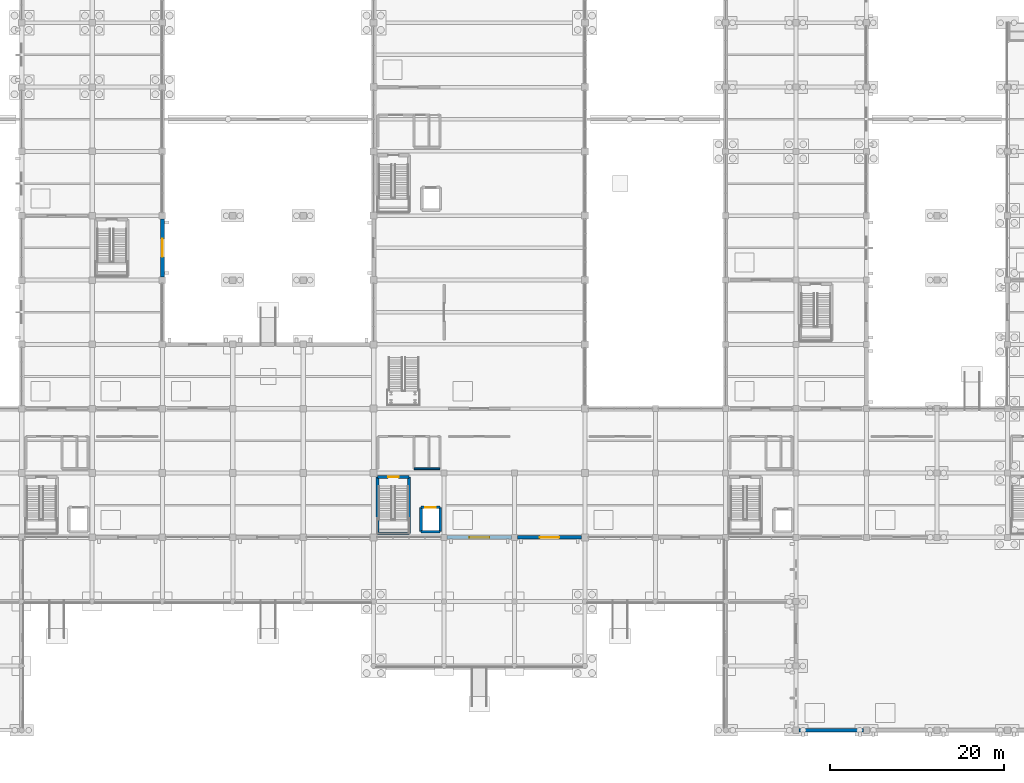
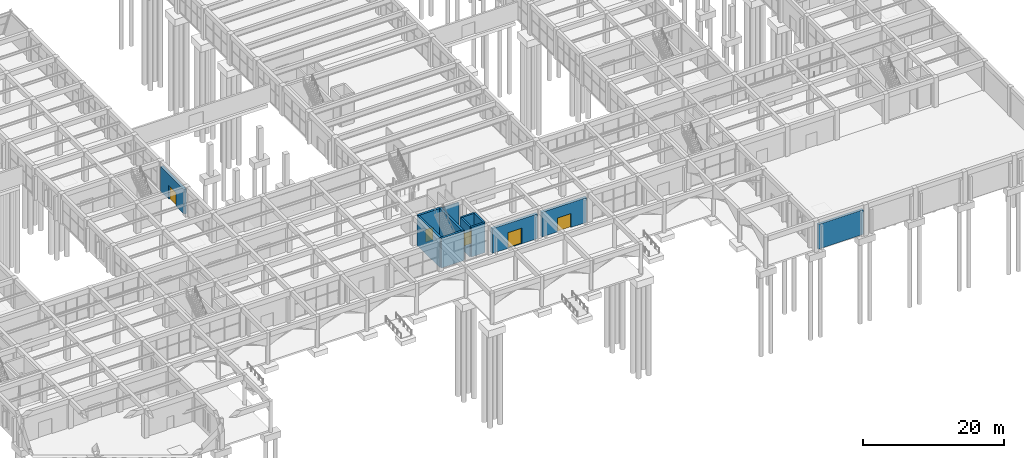
# One storey, part 124 of 140: 13 walls, 5 doors, 5 openings.
"""IFC4 building model written with IfcOpenShell, lengths in metres."""

from ifc_helpers import new_model, si_unit, direction, frame, frame_2d, origin, place, context, subcontext, project, spatial, rectangle, extrude, material, layer, layer_set, type_object, element, fill, save


model = new_model("IFC4")

# Units and contexts
model_context = context("Model", 3, precision=1e-05, world=origin(), true_north=direction((0.0, 1.0)))
body_context = subcontext(model_context, "Body", "Model", "MODEL_VIEW")
ifc_project = project(units=[si_unit("LENGTHUNIT", "METRE"), si_unit("AREAUNIT", "SQUARE_METRE"), si_unit("VOLUMEUNIT", "CUBIC_METRE"), si_unit("PLANEANGLEUNIT", "RADIAN"), si_unit("MASSUNIT", "GRAM", prefix="KILO")], contexts=[model_context])

# Site, building, storey
site_placement = place(None, origin())
site = spatial("IfcSite", under=ifc_project, at=site_placement, CompositionType="ELEMENT")
building_placement = place(site_placement, origin())
building = spatial("IfcBuilding", under=site, at=building_placement, Name="Cimatlan Art Gallery", CompositionType="ELEMENT")
storey_placement = place(building_placement, origin())
storey = spatial("IfcBuildingStorey", under=building, at=storey_placement, Name="L00", CompositionType="ELEMENT", Elevation=0.0)

# Walls
ifc_material_1 = material(Name="Concrete C40/50", Category="concrete")
ifc_layer_1 = layer(ifc_material_1, 0.31005859375)
ifc_layer_set_1 = layer_set([ifc_layer_1], Name="Concrete C40/50")
wall_type_1 = type_object("IfcWallType", Name="W-CORE-310", PredefinedType="SHEAR", material=ifc_layer_set_1)
wall_1_placement = place(storey_placement, frame((80.35009765625, 24.550048828125, 0.0), z_axis=(0.0, 0.0, 1.0), x_axis=(0.0, 1.0, 0.0)))
element("IfcWall", 1, at=wall_1_placement, inside=storey, type_object=wall_type_1, Name="WL-SHFT-C3-L00-LW", PredefinedType="SHEAR", context=body_context, shape_type="SweptSolid", body=[
    extrude(rectangle(XDim=2.800048828125, YDim=0.31005859375, at=frame_2d((1.39990234375, 0.0))), origin(), (0.0, 0.0, 1.0), 5.1298828125),
])
wall_2_placement = place(storey_placement, frame((80.35009765625, 24.550048828125, 0.0), z_axis=(0.0, 0.0, 1.0), x_axis=(1.0, 0.0, 0.0)))
element("IfcWall", 2, at=wall_2_placement, inside=storey, type_object=wall_type_1, Name="WL-SHFT-C3-L00-LS", PredefinedType="SHEAR", context=body_context, shape_type="SweptSolid", body=[
    extrude(rectangle(XDim=2.199951171875, YDim=0.31005859375, at=frame_2d((1.10009765625, 0.0))), origin(), (0.0, 0.0, 1.0), 5.1298828125),
])
wall_3_placement = place(storey_placement, frame((82.550048828125, 24.550048828125, 0.0), z_axis=(0.0, 0.0, 1.0), x_axis=(0.0, 1.0, 0.0)))
element("IfcWall", 3, at=wall_3_placement, inside=storey, type_object=wall_type_1, Name="WL-SHFT-C3-L00-LE", PredefinedType="SHEAR", context=body_context, shape_type="SweptSolid", body=[
    extrude(rectangle(XDim=2.800048828125, YDim=0.31005859375, at=frame_2d((1.39990234375, 0.0))), origin(), (0.0, 0.0, 1.0), 5.1298828125),
])

# Wall, opening, door
wall_4_placement = place(storey_placement, frame((80.35009765625, 27.35009765625, 0.0), z_axis=(0.0, 0.0, 1.0), x_axis=(1.0, 0.0, 0.0)))
wall_4 = element("IfcWall", 4, at=wall_4_placement, inside=storey, type_object=wall_type_1, Name="WL-SHFT-C3-L00-LN", PredefinedType="SHEAR", context=body_context, shape_type="SweptSolid", body=[
    extrude(rectangle(XDim=2.199951171875, YDim=0.31005859375, at=frame_2d((1.10009765625, 0.0))), origin(), (0.0, 0.0, 1.0), 5.1298828125),
])
opening_1_placement = place(wall_4_placement, frame((0.5, 0.0, 0.0)))
opening_1 = element("IfcOpeningElement", 5, at=opening_1_placement, cuts=wall_4, Name="Opening LD-C3-L00", PredefinedType="OPENING", context=body_context, shape_type="SweptSolid", body=[
    extrude(rectangle(XDim=1.199951171875, YDim=2.14990234375, at=frame_2d((0.60009765625, 1.074951171875))), frame((0.0, 0.1650390625, 0.0), z_axis=(0.0, -1.0, 0.0), x_axis=(1.0, 0.0, 0.0)), (0.0, 0.0, 1.0), 0.330078125),
])
ifc_material_2 = material(Name="Fire-rated sliding firefighting lift landing door")
door_type_1 = type_object("IfcDoorType", Name="LD-FF-1200", OperationType="NOTDEFINED", PredefinedType="DOOR", material=ifc_material_2)
door_1_placement = place(opening_1_placement, origin())
door_1 = element("IfcDoor", 6, at=door_1_placement, inside=storey, type_object=door_type_1, Name="LD-FFL-02-L00", OperationType="SLIDING_TO_RIGHT", OverallHeight=2.14990234375, OverallWidth=1.199951171875, PredefinedType="DOOR", context=body_context, shape_type="SweptSolid", body=[
    extrude(rectangle(XDim=1.199951171875, YDim=2.14990234375, at=frame_2d((0.60009765625, 1.074951171875))), frame((0.0, 0.02490234375, 0.0), z_axis=(0.0, -1.0, 0.0), x_axis=(1.0, 0.0, 0.0)), (0.0, 0.0, 1.0), 0.050048828125),
])
fill(opening_1, door_1)

# Walls
ifc_layer_2 = layer(ifc_material_1, 0.35009765625)
ifc_layer_set_2 = layer_set([ifc_layer_2], Name="Concrete C40/50")
wall_type_2 = type_object("IfcWallType", Name="W-CORE-350", PredefinedType="SHEAR", material=ifc_layer_set_2)
wall_5_placement = place(storey_placement, frame((75.340087890625, 24.340087890625, 0.0), z_axis=(0.0, 0.0, 1.0), x_axis=(0.0, 1.0, 0.0)))
element("IfcWall", 7, at=wall_5_placement, inside=storey, type_object=wall_type_2, Name="WL-CORE-C3-L00-SW", PredefinedType="SHEAR", context=body_context, shape_type="SweptSolid", body=[
    extrude(rectangle(XDim=6.52001953125, YDim=0.35009765625, at=frame_2d((3.260009765625, 0.0))), origin(), (0.0, 0.0, 1.0), 5.1298828125),
])
wall_6_placement = place(storey_placement, frame((75.340087890625, 24.340087890625, 0.0), z_axis=(0.0, 0.0, 1.0), x_axis=(1.0, 0.0, 0.0)))
element("IfcWall", 8, at=wall_6_placement, inside=storey, type_object=wall_type_2, Name="WL-CORE-C3-L00-SS", PredefinedType="SHEAR", context=body_context, shape_type="SweptSolid", body=[
    extrude(rectangle(XDim=3.639892578125, YDim=0.35009765625, at=frame_2d((1.81982421875, 0.0))), origin(), (0.0, 0.0, 1.0), 5.1298828125),
])
wall_7_placement = place(storey_placement, frame((78.97998046875, 24.340087890625, 0.0), z_axis=(0.0, 0.0, 1.0), x_axis=(0.0, 1.0, 0.0)))
element("IfcWall", 9, at=wall_7_placement, inside=storey, type_object=wall_type_2, Name="WL-CORE-C3-L00-SE", PredefinedType="SHEAR", context=body_context, shape_type="SweptSolid", body=[
    extrude(rectangle(XDim=6.52001953125, YDim=0.35009765625, at=frame_2d((3.260009765625, 0.0))), origin(), (0.0, 0.0, 1.0), 5.1298828125),
])

# Wall, opening, door
wall_8_placement = place(storey_placement, frame((75.340087890625, 30.860107421875, 0.0), z_axis=(0.0, 0.0, 1.0), x_axis=(1.0, 0.0, 0.0)))
wall_8 = element("IfcWall", 10, at=wall_8_placement, inside=storey, type_object=wall_type_2, Name="WL-CORE-C3-L00-SN", PredefinedType="SHEAR", context=body_context, shape_type="SweptSolid", body=[
    extrude(rectangle(XDim=3.639892578125, YDim=0.35009765625, at=frame_2d((1.81982421875, 0.0))), origin(), (0.0, 0.0, 1.0), 5.1298828125),
])
opening_2_placement = place(wall_8_placement, frame((1.219970703125, 0.0, 0.0)))
opening_2 = element("IfcOpeningElement", 11, at=opening_2_placement, cuts=wall_8, Name="Opening FD-C3-L00", PredefinedType="OPENING", context=body_context, shape_type="SweptSolid", body=[
    extrude(rectangle(XDim=1.199951171875, YDim=2.14990234375, at=frame_2d((0.60009765625, 1.074951171875))), frame((0.0, 0.18505859375, 0.0), z_axis=(0.0, -1.0, 0.0), x_axis=(1.0, 0.0, 0.0)), (0.0, 0.0, 1.0), 0.3701171875),
])
ifc_material_3 = material(Name="Fire-resisting steel acoustic stair door", Category="steel")
door_type_2 = type_object("IfcDoorType", Name="FD-ST-1200", OperationType="NOTDEFINED", PredefinedType="DOOR", material=ifc_material_3)
door_2_placement = place(opening_2_placement, origin())
door_2 = element("IfcDoor", 12, at=door_2_placement, inside=storey, type_object=door_type_2, Name="DR-C3-L00-ST", OperationType="SINGLE_SWING_LEFT", OverallHeight=2.14990234375, OverallWidth=1.199951171875, PredefinedType="DOOR", context=body_context, shape_type="SweptSolid", body=[
    extrude(rectangle(XDim=1.199951171875, YDim=2.14990234375, at=frame_2d((0.60009765625, 1.074951171875))), frame((0.0, 0.02490234375, 0.0), z_axis=(0.0, -1.0, 0.0), x_axis=(1.0, 0.0, 0.0)), (0.0, 0.0, 1.0), 0.050048828125),
])
fill(opening_2, door_2)

# Walls
ifc_material_4 = material(Name="Moisture-resistant fire-rated plumbing wall")
ifc_layer_3 = layer(ifc_material_4, 0.195068359375)
ifc_layer_set_3 = layer_set([ifc_layer_3], Name="Moisture-resistant fire-rated plumbing wall")
wall_type_3 = type_object("IfcWallType", Name="W-PLM-195", PredefinedType="PARTITIONING", material=ifc_layer_set_3)
wall_9_placement = place(storey_placement, frame((79.550048828125, 31.780029296875, 0.0), z_axis=(0.0, 0.0, 1.0), x_axis=(1.0, 0.0, 0.0)))
element("IfcWall", 13, at=wall_9_placement, inside=storey, type_object=wall_type_3, Name="WL-LOB-C3-L00-S", PredefinedType="PARTITIONING", context=body_context, shape_type="SweptSolid", body=[
    extrude(rectangle(XDim=2.969970703125, YDim=0.195068359375, at=frame_2d((1.48486328125, 0.0))), origin(), (0.0, 0.0, 1.0), 4.27490234375),
])
ifc_material_5 = material(Name="Precast concrete C40/50", Category="concrete")
ifc_layer_4 = layer(ifc_material_5, 0.385009765625)
ifc_layer_set_4 = layer_set([ifc_layer_4], Name="Precast concrete C40/50")
wall_type_4 = type_object("IfcWallType", Name="WL-EXT-AUD-385", PredefinedType="SOLIDWALL", material=ifc_layer_set_4)
wall_10_placement = place(storey_placement, frame((131.24609375, 1.699951171875, 0.0), z_axis=(0.0, 0.0, 1.0), x_axis=(-1.0, 0.0, 0.0)))
element("IfcWall", 14, at=wall_10_placement, inside=storey, type_object=wall_type_4, Name="WL-EXT-L00-15-00-S", PredefinedType="SOLIDWALL", context=body_context, shape_type="SweptSolid", body=[
    extrude(rectangle(XDim=7.39208984375, YDim=0.385009765625, at=frame_2d((3.696044921875, 0.0))), origin(), (0.0, 0.0, 1.0), 4.27001953125),
])

# Wall, opening, door
ifc_layer_5 = layer(ifc_material_5, 0.43994140625)
ifc_layer_set_5 = layer_set([ifc_layer_5], Name="Precast concrete C40/50")
wall_type_5 = type_object("IfcWallType", Name="WL-EXT-CAN-440", PredefinedType="SOLIDWALL", material=ifc_layer_set_5)
wall_11_placement = place(storey_placement, frame((50.60009765625, 60.52099609375, 0.0), z_axis=(0.0, 0.0, 1.0), x_axis=(0.0, -1.0, 0.0)))
wall_11 = element("IfcWall", 15, at=wall_11_placement, inside=storey, type_object=wall_type_5, Name="WL-EXT-L00-05-07-E", PredefinedType="SOLIDWALL", context=body_context, shape_type="SweptSolid", body=[
    extrude(rectangle(XDim=6.64208984375, YDim=0.43994140625, at=frame_2d((3.321044921875, 0.0))), origin(), (0.0, 0.0, 1.0), 4.27001953125),
])
opening_3_placement = place(wall_11_placement, frame((2.2958984375, 0.0, 0.0)))
opening_3 = element("IfcOpeningElement", 16, at=opening_3_placement, cuts=wall_11, Name="Opening D-L00-E11", PredefinedType="OPENING", context=body_context, shape_type="SweptSolid", body=[
    extrude(rectangle(XDim=2.050048828125, YDim=2.35009765625, at=frame_2d((1.02490234375, 1.175048828125))), frame((0.0, 0.22998046875, 0.0), z_axis=(0.0, -1.0, 0.0), x_axis=(1.0, 0.0, 0.0)), (0.0, 0.0, 1.0), 0.4599609375),
])
ifc_material_6 = material(Name="Anodised bronze and laminated safety glass door", Category="glass")
door_type_3 = type_object("IfcDoorType", Name="DE-EX-2050", OperationType="NOTDEFINED", PredefinedType="DOOR", material=ifc_material_6)
door_3_placement = place(opening_3_placement, origin())
door_3 = element("IfcDoor", 17, at=door_3_placement, inside=storey, type_object=door_type_3, Name="D-L00-E11", OperationType="DOUBLE_SWING_LEFT", OverallHeight=2.35009765625, OverallWidth=2.050048828125, PredefinedType="DOOR", context=body_context, shape_type="SweptSolid", body=[
    extrude(rectangle(XDim=2.050048828125, YDim=2.35009765625, at=frame_2d((1.02490234375, 1.175048828125))), frame((0.0, 0.02490234375, 0.0), z_axis=(0.0, -1.0, 0.0), x_axis=(1.0, 0.0, 0.0)), (0.0, 0.0, 1.0), 0.050048828125),
])
fill(opening_3, door_3)

wall_12_placement = place(storey_placement, frame((90.74609375, 23.89990234375, 0.0), z_axis=(0.0, 0.0, 1.0), x_axis=(-1.0, 0.0, 0.0)))
wall_12 = element("IfcWall", 18, at=wall_12_placement, inside=storey, type_object=wall_type_5, Name="WL-EXT-L00-10-03-S", PredefinedType="SOLIDWALL", context=body_context, shape_type="SweptSolid", body=[
    extrude(rectangle(XDim=7.39208984375, YDim=0.43994140625, at=frame_2d((3.696044921875, 0.0))), origin(), (0.0, 0.0, 1.0), 4.27001953125),
])
opening_4_placement = place(wall_12_placement, frame((2.5458984375, 0.0, 0.0)))
opening_4 = element("IfcOpeningElement", 19, at=opening_4_placement, cuts=wall_12, Name="Opening D-L00-E04", PredefinedType="OPENING", context=body_context, shape_type="SweptSolid", body=[
    extrude(rectangle(XDim=2.300048828125, YDim=2.699951171875, at=frame_2d((1.14990234375, 1.35009765625))), frame((0.0, 0.22998046875, 0.0), z_axis=(0.0, -1.0, 0.0), x_axis=(1.0, 0.0, 0.0)), (0.0, 0.0, 1.0), 0.4599609375),
])
door_type_4 = type_object("IfcDoorType", Name="DE-PT-2300", OperationType="NOTDEFINED", PredefinedType="DOOR", material=ifc_material_6)
door_4_placement = place(opening_4_placement, origin())
door_4 = element("IfcDoor", 20, at=door_4_placement, inside=storey, type_object=door_type_4, Name="D-L00-E04", OperationType="DOUBLE_SWING_LEFT", OverallHeight=2.699951171875, OverallWidth=2.300048828125, PredefinedType="DOOR", context=body_context, shape_type="SweptSolid", body=[
    extrude(rectangle(XDim=2.300048828125, YDim=2.699951171875, at=frame_2d((1.14990234375, 1.35009765625))), frame((0.0, 0.02490234375, 0.0), z_axis=(0.0, -1.0, 0.0), x_axis=(1.0, 0.0, 0.0)), (0.0, 0.0, 1.0), 0.050048828125),
])
fill(opening_4, door_4)

wall_13_placement = place(storey_placement, frame((98.7958984375, 23.89990234375, 0.0), z_axis=(0.0, 0.0, 1.0), x_axis=(-1.0, 0.0, 0.0)))
wall_13 = element("IfcWall", 21, at=wall_13_placement, inside=storey, type_object=wall_type_5, Name="WL-EXT-L00-11-03-S", PredefinedType="SOLIDWALL", context=body_context, shape_type="SweptSolid", body=[
    extrude(rectangle(XDim=7.341796875, YDim=0.43994140625, at=frame_2d((3.6708984375, 0.0))), origin(), (0.0, 0.0, 1.0), 4.27001953125),
])
opening_5_placement = place(wall_13_placement, frame((2.571044921875, 0.0, 0.0)))
opening_5 = element("IfcOpeningElement", 22, at=opening_5_placement, cuts=wall_13, Name="Opening D-L00-E05", PredefinedType="OPENING", context=body_context, shape_type="SweptSolid", body=[
    extrude(rectangle(XDim=2.199951171875, YDim=2.39990234375, at=frame_2d((1.10009765625, 1.199951171875))), frame((0.0, 0.22998046875, 0.0), z_axis=(0.0, -1.0, 0.0), x_axis=(1.0, 0.0, 0.0)), (0.0, 0.0, 1.0), 0.4599609375),
])
door_type_5 = type_object("IfcDoorType", Name="DE-EX-2200", OperationType="NOTDEFINED", PredefinedType="DOOR", material=ifc_material_6)
door_5_placement = place(opening_5_placement, origin())
door_5 = element("IfcDoor", 23, at=door_5_placement, inside=storey, type_object=door_type_5, Name="D-L00-E05", OperationType="DOUBLE_SWING_LEFT", OverallHeight=2.39990234375, OverallWidth=2.199951171875, PredefinedType="DOOR", context=body_context, shape_type="SweptSolid", body=[
    extrude(rectangle(XDim=2.199951171875, YDim=2.39990234375, at=frame_2d((1.10009765625, 1.199951171875))), frame((0.0, 0.02490234375, 0.0), z_axis=(0.0, -1.0, 0.0), x_axis=(1.0, 0.0, 0.0)), (0.0, 0.0, 1.0), 0.050048828125),
])
fill(opening_5, door_5)

save(model, "model.ifc")
